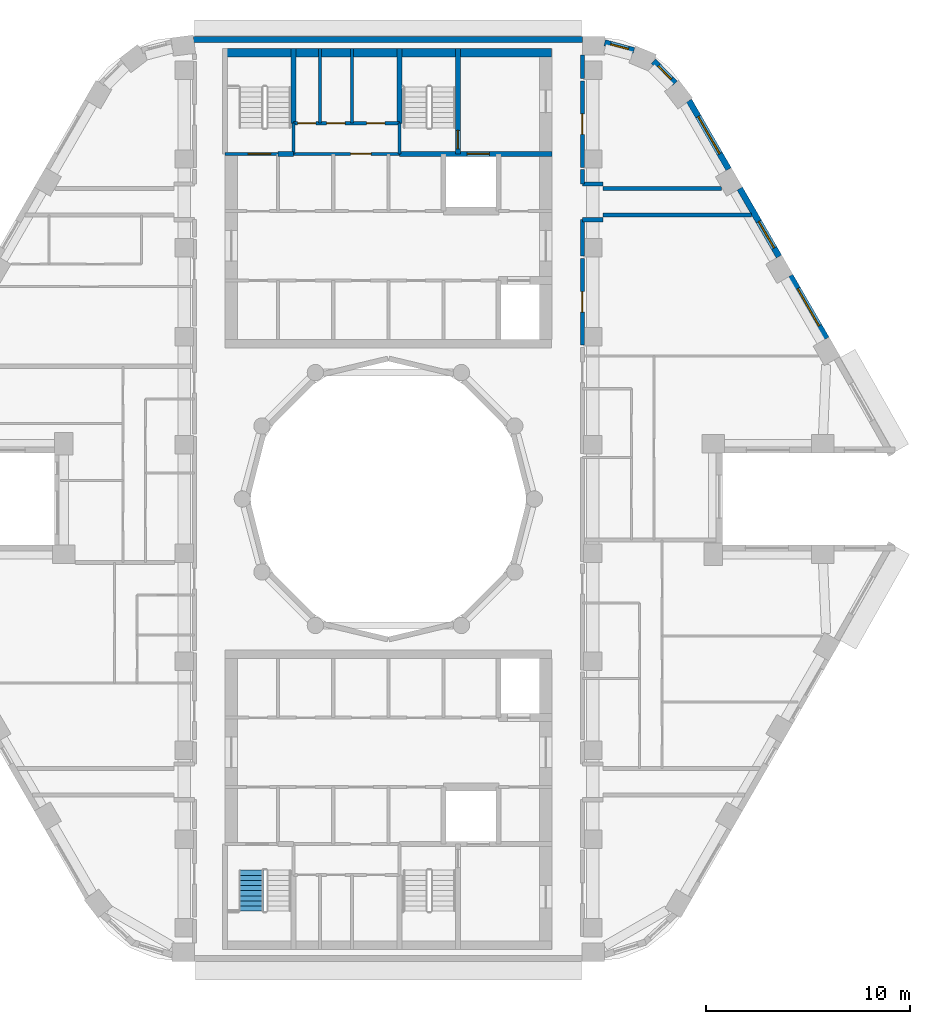
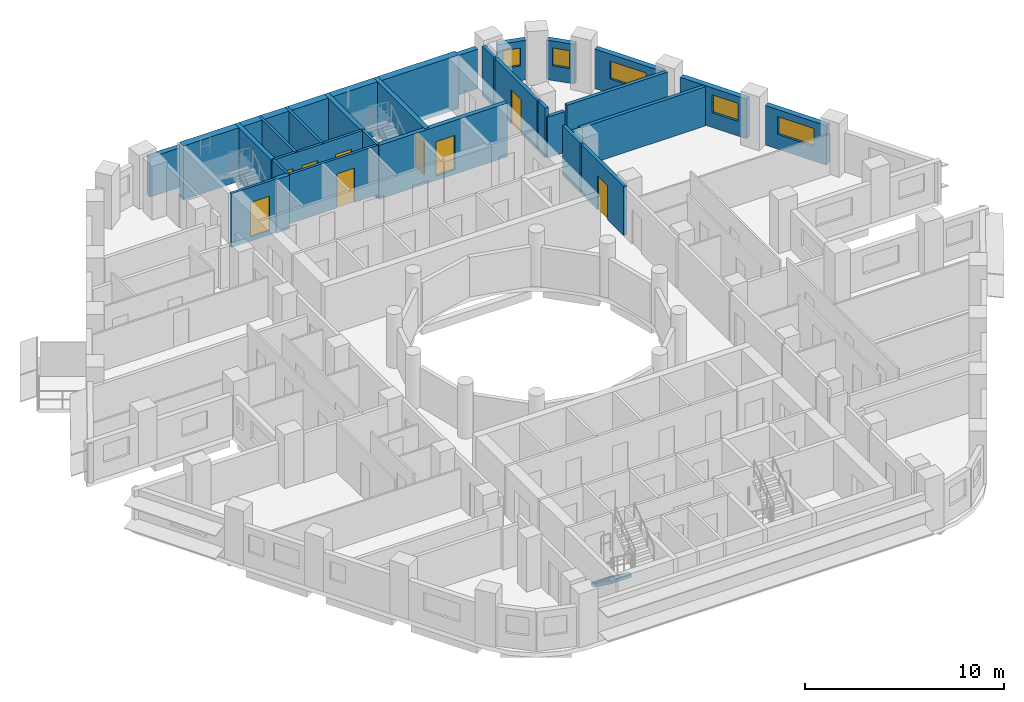
# One storey, part 8 of 13: 28 walls, 9 doors, 5 windows, 1 stair flight, 14 openings, 1 element without a shape of its own.
"""IFC4 building model written with IfcOpenShell, lengths in metres."""

from ifc_helpers import new_model, si_unit, direction, frame, frame_2d, origin, place, context, subcontext, project, spatial, polyline, rectangle, outline, extrude, material, layer, layer_set, type_object, element, fill, aggregate, save


model = new_model("IFC4")

# Units and contexts
model_context = context("Model", 3, precision=1e-05, world=origin(), true_north=direction((0.0, 1.0)))
body_context = subcontext(model_context, "Body", "Model", "MODEL_VIEW")
ifc_project = project(units=[si_unit("LENGTHUNIT", "METRE"), si_unit("AREAUNIT", "SQUARE_METRE"), si_unit("VOLUMEUNIT", "CUBIC_METRE"), si_unit("PLANEANGLEUNIT", "RADIAN"), si_unit("MASSUNIT", "GRAM", prefix="KILO")], contexts=[model_context])

# Site, building, storey
site_placement = place(None, origin())
site = spatial("IfcSite", under=ifc_project, at=site_placement, CompositionType="ELEMENT")
building_placement = place(site_placement, origin())
building = spatial("IfcBuilding", under=site, at=building_placement, Name="Nakaniwa Court", CompositionType="ELEMENT")
storey_placement = place(building_placement, frame((0.0, 0.0, 239.39990234375)))
storey = spatial("IfcBuildingStorey", under=building, at=storey_placement, Name="L62", CompositionType="ELEMENT", Elevation=239.39990234375)

# Wall, opening, door
ifc_material_1 = material(Name="Acoustic double stud partition")
ifc_layer_1 = layer(ifc_material_1, 0.199951171875)
ifc_layer_set_1 = layer_set([ifc_layer_1], Name="Acoustic double stud partition")
wall_type_1 = type_object("IfcWallType", Name="Acoustic double stud partition 200", PredefinedType="PARTITIONING", material=ifc_layer_set_1)
wall_1_placement = place(storey_placement, frame((89.5, 91.77294921875, 0.0), z_axis=(0.0, 0.0, 1.0), x_axis=(0.0, -1.0, 0.0)))
wall_1 = element("IfcWall", 1, at=wall_1_placement, inside=storey, type_object=wall_type_1, Name="Partition PW-068", PredefinedType="PARTITIONING", context=body_context, shape_type="SweptSolid", body=[
    extrude(rectangle(XDim=4.23583984375, YDim=0.199951171875, at=frame_2d((2.117919921875, 0.0))), origin(), (0.0, 0.0, 1.0), 3.025146484375),
])
opening_1_placement = place(wall_1_placement, frame((1.617919921875, 0.0, 0.0)))
opening_1 = element("IfcOpeningElement", 2, at=opening_1_placement, cuts=wall_1, Name="Opening D-02-02", PredefinedType="OPENING", context=body_context, shape_type="SweptSolid", body=[
    extrude(rectangle(XDim=1.0, YDim=2.10009765625, at=frame_2d((0.5, 1.050048828125))), frame((0.0, 0.10986328125, 0.0), z_axis=(0.0, -1.0, 0.0), x_axis=(1.0, 0.0, 0.0)), (0.0, 0.0, 1.0), 0.219970703125),
])
ifc_material_2 = material(Name="Solid core timber door set, black veneer", Category="wood")
door_type_1 = type_object("IfcDoorType", Name="Internal door 1000", OperationType="NOTDEFINED", PredefinedType="DOOR", material=ifc_material_2)
door_1_placement = place(opening_1_placement, origin())
door_1 = element("IfcDoor", 3, at=door_1_placement, inside=storey, type_object=door_type_1, Name="Door D-02-02 L62-044", OperationType="SINGLE_SWING_LEFT", OverallHeight=2.10009765625, OverallWidth=1.0, PredefinedType="DOOR", context=body_context, shape_type="SweptSolid", body=[
    extrude(rectangle(XDim=1.0, YDim=2.10009765625, at=frame_2d((0.5, 1.050048828125))), frame((0.0, 0.02490234375, 0.0), z_axis=(0.0, -1.0, 0.0), x_axis=(1.0, 0.0, 0.0)), (0.0, 0.0, 1.0), 0.050048828125),
])
fill(opening_1, door_1)

# Walls
wall_2_placement = place(storey_placement, frame((89.5, 91.886962890625, 0.0), z_axis=(0.0, 0.0, 1.0), x_axis=(0.0, 1.0, 0.0)))
element("IfcWall", 4, at=wall_2_placement, inside=storey, type_object=wall_type_1, Name="Partition PW-069", PredefinedType="PARTITIONING", context=body_context, shape_type="SweptSolid", body=[
    extrude(rectangle(XDim=1.791015625, YDim=0.199951171875, at=frame_2d((0.8955078125, 0.0))), origin(), (0.0, 0.0, 1.0), 3.025146484375),
])
wall_3_placement = place(storey_placement, frame((89.5, 95.422119140625, 0.0), z_axis=(0.0, 0.0, 1.0), x_axis=(0.0, 1.0, 0.0)))
element("IfcWall", 5, at=wall_3_placement, inside=storey, type_object=wall_type_1, Name="Partition PW-070", PredefinedType="PARTITIONING", context=body_context, shape_type="SweptSolid", body=[
    extrude(rectangle(XDim=0.700927734375, YDim=0.199951171875, at=frame_2d((0.3505859375, 0.0))), origin(), (0.0, 0.0, 1.0), 3.025146484375),
])

# Wall, opening, door
wall_4_placement = place(storey_placement, frame((89.5, 100.472900390625, 0.0), z_axis=(0.0, 0.0, 1.0), x_axis=(0.0, -1.0, 0.0)))
wall_4 = element("IfcWall", 6, at=wall_4_placement, inside=storey, type_object=wall_type_1, Name="Partition PW-071", PredefinedType="PARTITIONING", context=body_context, shape_type="SweptSolid", body=[
    extrude(rectangle(XDim=4.23583984375, YDim=0.199951171875, at=frame_2d((2.117919921875, 0.0))), origin(), (0.0, 0.0, 1.0), 3.025146484375),
])
opening_2_placement = place(wall_4_placement, frame((1.617919921875, 0.0, 0.0)))
opening_2 = element("IfcOpeningElement", 7, at=opening_2_placement, cuts=wall_4, Name="Opening D-02-03", PredefinedType="OPENING", context=body_context, shape_type="SweptSolid", body=[
    extrude(rectangle(XDim=1.0, YDim=2.10009765625, at=frame_2d((0.5, 1.050048828125))), frame((0.0, 0.10986328125, 0.0), z_axis=(0.0, -1.0, 0.0), x_axis=(1.0, 0.0, 0.0)), (0.0, 0.0, 1.0), 0.219970703125),
])
door_2_placement = place(opening_2_placement, origin())
door_2 = element("IfcDoor", 8, at=door_2_placement, inside=storey, type_object=door_type_1, Name="Door D-02-03 L62-059", OperationType="SINGLE_SWING_RIGHT", OverallHeight=2.10009765625, OverallWidth=1.0, PredefinedType="DOOR", context=body_context, shape_type="SweptSolid", body=[
    extrude(rectangle(XDim=1.0, YDim=2.10009765625, at=frame_2d((0.5, 1.050048828125))), frame((0.0, 0.02490234375, 0.0), z_axis=(0.0, -1.0, 0.0), x_axis=(1.0, 0.0, 0.0)), (0.0, 0.0, 1.0), 0.050048828125),
])
fill(opening_2, door_2)

# Walls
wall_5_placement = place(storey_placement, frame((89.5, 100.5869140625, 0.0), z_axis=(0.0, 0.0, 1.0), x_axis=(0.0, 1.0, 0.0)))
element("IfcWall", 9, at=wall_5_placement, inside=storey, type_object=wall_type_1, Name="Partition PW-072", PredefinedType="PARTITIONING", context=body_context, shape_type="SweptSolid", body=[
    extrude(rectangle(XDim=1.14599609375, YDim=0.199951171875, at=frame_2d((0.572998046875, 0.0))), origin(), (0.0, 0.0, 1.0), 3.025146484375),
])
wall_6_placement = place(storey_placement, frame((90.5, 93.89990234375, 0.0), z_axis=(0.0, 0.0, 1.0), x_axis=(1.0, 0.0, 0.0)))
element("IfcWall", 10, at=wall_6_placement, inside=storey, type_object=wall_type_1, Name="Partition PW-074", PredefinedType="PARTITIONING", context=body_context, shape_type="SweptSolid", body=[
    extrude(rectangle(XDim=7.282470703125, YDim=0.199951171875, at=frame_2d((3.64111328125, 0.0))), origin(), (0.0, 0.0, 1.0), 2.405029296875),
])
for number, where, z_axis, x_axis, name in (
    (11, (89.5, 93.675048828125, 0.0), (0.0, 0.0, 1.0), (1.0, 0.0, 0.0), "Partition PW-076"),
    (12, (89.5, 95.425048828125, 0.0), (0.0, 0.0, 1.0), (1.0, 0.0, 0.0), "Partition PW-078"),
):
    element("IfcWall", number, at=place(storey_placement, frame(where, z_axis=z_axis, x_axis=x_axis)), inside=storey, type_object=wall_type_1, Name=name, PredefinedType="PARTITIONING", context=body_context, shape_type="SweptSolid", body=[
        extrude(rectangle(XDim=1.0, YDim=0.199951171875, at=frame_2d((0.5, 0.0))), origin(), (0.0, 0.0, 1.0), 2.505126953125),
    ])
wall_7_placement = place(storey_placement, frame((90.5, 95.199951171875, 0.0), z_axis=(0.0, 0.0, 1.0), x_axis=(1.0, 0.0, 0.0)))
element("IfcWall", 13, at=wall_7_placement, inside=storey, type_object=wall_type_1, Name="Partition PW-080", PredefinedType="PARTITIONING", context=body_context, shape_type="SweptSolid", body=[
    extrude(rectangle(XDim=5.81884765625, YDim=0.199951171875, at=frame_2d((2.909423828125, 0.0))), origin(), (0.0, 0.0, 1.0), 3.025146484375),
])

# Wall, opening, window
ifc_material_3 = material(Name="Charcoal ceramic cladding")
ifc_layer_2 = layer(ifc_material_3, 0.02, Name="Ceramic cladding")
ifc_material_4 = material(Name="Ventilated air cavity")
ifc_layer_3 = layer(ifc_material_4, 0.04, ventilated=True, Name="Ventilated cavity")
ifc_material_5 = material(Name="Mineral wool insulation")
ifc_layer_4 = layer(ifc_material_5, 0.1, Name="Insulation")
ifc_material_6 = material(Name="Cement bonded sheathing board")
ifc_layer_5 = layer(ifc_material_6, 0.012, Name="Sheathing")
ifc_material_7 = material(Name="Cold-formed galvanised stud frame with mineral wool infill")
ifc_layer_6 = layer(ifc_material_7, 0.1, Name="Stud frame")
ifc_material_8 = material(Name="Fire-rated gypsum plasterboard lining")
ifc_layer_7 = layer(ifc_material_8, 0.028, Name="Lining")
ifc_layer_set_2 = layer_set([ifc_layer_2, ifc_layer_3, ifc_layer_4, ifc_layer_5, ifc_layer_6, ifc_layer_7], Name="Charcoal ceramic faced external wall system")
wall_type_2 = type_object("IfcWallType", Name="Black ceramic faced external wall 300", PredefinedType="SOLIDWALL", material=ifc_layer_set_2)
wall_8_placement = place(storey_placement, frame((101.44580078125, 87.85498046875, 0.0), z_axis=(0.0, 0.0, 1.0), x_axis=(-0.500010404316, 0.866019396766, 0.0)))
wall_8 = element("IfcWall", 14, at=wall_8_placement, inside=storey, type_object=wall_type_2, Name="L62 external wall 03", PredefinedType="SOLIDWALL", context=body_context, shape_type="SweptSolid", body=[
    extrude(rectangle(XDim=3.54736328125, YDim=0.300048828125, at=frame_2d((1.773681640625, 0.0))), origin(), (0.0, 0.0, 1.0), 2.425048828125),
])
opening_3_placement = place(wall_8_placement, frame((0.723388671875, 0.0, 0.89990234375)))
opening_3 = element("IfcOpeningElement", 15, at=opening_3_placement, cuts=wall_8, Name="Opening W7.04", PredefinedType="OPENING", context=body_context, shape_type="SweptSolid", body=[
    extrude(rectangle(XDim=2.10009765625, YDim=1.10009765625, at=frame_2d((1.050048828125, 0.550048828125))), frame((0.0, 0.159912109375, 0.0), z_axis=(0.0, -1.0, 0.0), x_axis=(1.0, 0.0, 0.0)), (0.0, 0.0, 1.0), 0.320068359375),
])
ifc_material_9 = material(Name="Black anodised aluminium frame with dark low-E laminated double glazing", Category="aluminium")
window_type_1 = type_object("IfcWindowType", Name="Dark glass window 2100x1100 sill 900", PartitioningType="SINGLE_PANEL", PredefinedType="WINDOW", material=ifc_material_9)
window_1_placement = place(opening_3_placement, origin())
window_1 = element("IfcWindow", 16, at=window_1_placement, inside=storey, type_object=window_type_1, Name="L62 habitable room window 03-0", OverallHeight=1.10009765625, OverallWidth=2.10009765625, PartitioningType="SINGLE_PANEL", PredefinedType="WINDOW", context=body_context, shape_type="SweptSolid", body=[
    extrude(rectangle(XDim=2.10009765625, YDim=1.10009765625, at=frame_2d((1.050048828125, 0.550048828125))), frame((0.0, 0.030029296875, 0.0), z_axis=(0.0, -1.0, 0.0), x_axis=(1.0, 0.0, 0.0)), (0.0, 0.0, 1.0), 0.06005859375),
])
fill(opening_3, window_1)

wall_9_placement = place(storey_placement, frame((99.126220703125, 91.87255859375, 0.0), z_axis=(0.0, 0.0, 1.0), x_axis=(-0.499984490703, 0.866034357896, 0.0)))
wall_9 = element("IfcWall", 17, at=wall_9_placement, inside=storey, type_object=wall_type_2, Name="L62 external wall 04", PredefinedType="SOLIDWALL", context=body_context, shape_type="SweptSolid", body=[
    extrude(rectangle(XDim=3.84423828125, YDim=0.300048828125, at=frame_2d((1.922119140625, 0.0))), origin(), (0.0, 0.0, 1.0), 2.425048828125),
])
opening_4_placement = place(wall_9_placement, frame((0.481689453125, 0.0, 0.89990234375)))
opening_4 = element("IfcOpeningElement", 18, at=opening_4_placement, cuts=wall_9, Name="Opening W5.05", PredefinedType="OPENING", context=body_context, shape_type="SweptSolid", body=[
    extrude(rectangle(XDim=1.5, YDim=1.10009765625, at=frame_2d((0.75, 0.550048828125))), frame((0.0, 0.159912109375, 0.0), z_axis=(0.0, -1.0, 0.0), x_axis=(1.0, 0.0, 0.0)), (0.0, 0.0, 1.0), 0.320068359375),
])
window_type_2 = type_object("IfcWindowType", Name="Dark glass window 1500x1100 sill 900", PartitioningType="SINGLE_PANEL", PredefinedType="WINDOW", material=ifc_material_9)
window_2_placement = place(opening_4_placement, origin())
window_2 = element("IfcWindow", 19, at=window_2_placement, inside=storey, type_object=window_type_2, Name="L62 habitable room window 04-0", OverallHeight=1.10009765625, OverallWidth=1.5, PartitioningType="SINGLE_PANEL", PredefinedType="WINDOW", context=body_context, shape_type="SweptSolid", body=[
    extrude(rectangle(XDim=1.5, YDim=1.10009765625, at=frame_2d((0.75, 0.550048828125))), frame((0.0, 0.030029296875, 0.0), z_axis=(0.0, -1.0, 0.0), x_axis=(1.0, 0.0, 0.0)), (0.0, 0.0, 1.0), 0.06005859375),
])
fill(opening_4, window_2)

wall_10_placement = place(storey_placement, frame((96.657958984375, 96.1474609375, 0.0), z_axis=(0.0, 0.0, 1.0), x_axis=(-0.500011218404, 0.866018926739, 0.0)))
wall_10 = element("IfcWall", 20, at=wall_10_placement, inside=storey, type_object=wall_type_2, Name="L62 external wall 05", PredefinedType="SOLIDWALL", context=body_context, shape_type="SweptSolid", body=[
    extrude(rectangle(XDim=3.87890625, YDim=0.300048828125, at=frame_2d((1.939453125, 0.0))), origin(), (0.0, 0.0, 1.0), 2.425048828125),
])
opening_5_placement = place(wall_10_placement, frame((0.878173828125, 0.0, 0.89990234375)))
opening_5 = element("IfcOpeningElement", 21, at=opening_5_placement, cuts=wall_10, Name="Opening W7.06", PredefinedType="OPENING", context=body_context, shape_type="SweptSolid", body=[
    extrude(rectangle(XDim=2.10009765625, YDim=1.10009765625, at=frame_2d((1.050048828125, 0.550048828125))), frame((0.0, 0.159912109375, 0.0), z_axis=(0.0, -1.0, 0.0), x_axis=(1.0, 0.0, 0.0)), (0.0, 0.0, 1.0), 0.320068359375),
])
window_3_placement = place(opening_5_placement, origin())
window_3 = element("IfcWindow", 22, at=window_3_placement, inside=storey, type_object=window_type_1, Name="L62 habitable room window 05-0", OverallHeight=1.10009765625, OverallWidth=2.10009765625, PartitioningType="SINGLE_PANEL", PredefinedType="WINDOW", context=body_context, shape_type="SweptSolid", body=[
    extrude(rectangle(XDim=2.10009765625, YDim=1.10009765625, at=frame_2d((1.050048828125, 0.550048828125))), frame((0.0, 0.030029296875, 0.0), z_axis=(0.0, -1.0, 0.0), x_axis=(1.0, 0.0, 0.0)), (0.0, 0.0, 1.0), 0.06005859375),
])
fill(opening_5, window_3)

wall_11_placement = place(storey_placement, frame((94.0341796875, 100.3583984375, 0.0), z_axis=(0.0, 0.0, 1.0), x_axis=(-0.698675602211, 0.71543860874, 0.0)))
wall_11 = element("IfcWall", 23, at=wall_11_placement, inside=storey, type_object=wall_type_2, Name="L62 external wall 06", PredefinedType="SOLIDWALL", context=body_context, shape_type="SweptSolid", body=[
    extrude(rectangle(XDim=1.5, YDim=0.300048828125, at=frame_2d((0.75, 0.0))), origin(), (0.0, 0.0, 1.0), 2.425048828125),
])
opening_6_placement = place(wall_11_placement, frame((0.27587890625, 0.0, 0.89990234375)))
opening_6 = element("IfcOpeningElement", 24, at=opening_6_placement, cuts=wall_11, Name="Opening W9.07", PredefinedType="OPENING", context=body_context, shape_type="SweptSolid", body=[
    extrude(rectangle(XDim=0.89990234375, YDim=1.10009765625, at=frame_2d((0.449951171875, 0.550048828125))), frame((0.0, 0.159912109375, 0.0), z_axis=(0.0, -1.0, 0.0), x_axis=(1.0, 0.0, 0.0)), (0.0, 0.0, 1.0), 0.320068359375),
])
window_type_3 = type_object("IfcWindowType", Name="Dark glass window 900x1100 sill 900", PartitioningType="SINGLE_PANEL", PredefinedType="WINDOW", material=ifc_material_9)
window_4_placement = place(opening_6_placement, origin())
window_4 = element("IfcWindow", 25, at=window_4_placement, inside=storey, type_object=window_type_3, Name="L62 habitable room window 06-0", OverallHeight=1.10009765625, OverallWidth=0.89990234375, PartitioningType="SINGLE_PANEL", PredefinedType="WINDOW", context=body_context, shape_type="SweptSolid", body=[
    extrude(rectangle(XDim=0.89990234375, YDim=1.10009765625, at=frame_2d((0.449951171875, 0.550048828125))), frame((0.0, 0.030029296875, 0.0), z_axis=(0.0, -1.0, 0.0), x_axis=(1.0, 0.0, 0.0)), (0.0, 0.0, 1.0), 0.06005859375),
])
fill(opening_6, window_4)

wall_12_placement = place(storey_placement, frame((92.02099609375, 101.956298828125, 0.0), z_axis=(0.0, 0.0, 1.0), x_axis=(-0.965392564919, 0.260801065181, 0.0)))
wall_12 = element("IfcWall", 26, at=wall_12_placement, inside=storey, type_object=wall_type_2, Name="L62 external wall 07", PredefinedType="SOLIDWALL", context=body_context, shape_type="SweptSolid", body=[
    extrude(rectangle(XDim=1.48095703125, YDim=0.300048828125, at=frame_2d((0.740478515625, 0.0))), origin(), (0.0, 0.0, 1.0), 2.425048828125),
])
opening_7_placement = place(wall_12_placement, frame((0.280029296875, 0.0, 0.89990234375)))
opening_7 = element("IfcOpeningElement", 27, at=opening_7_placement, cuts=wall_12, Name="Opening W9.08", PredefinedType="OPENING", context=body_context, shape_type="SweptSolid", body=[
    extrude(rectangle(XDim=0.89990234375, YDim=1.10009765625, at=frame_2d((0.449951171875, 0.550048828125))), frame((0.0, 0.159912109375, 0.0), z_axis=(0.0, -1.0, 0.0), x_axis=(1.0, 0.0, 0.0)), (0.0, 0.0, 1.0), 0.320068359375),
])
window_5_placement = place(opening_7_placement, origin())
window_5 = element("IfcWindow", 28, at=window_5_placement, inside=storey, type_object=window_type_3, Name="L62 habitable room window 07-0", OverallHeight=1.10009765625, OverallWidth=0.89990234375, PartitioningType="SINGLE_PANEL", PredefinedType="WINDOW", context=body_context, shape_type="SweptSolid", body=[
    extrude(rectangle(XDim=0.89990234375, YDim=1.10009765625, at=frame_2d((0.449951171875, 0.550048828125))), frame((0.0, 0.030029296875, 0.0), z_axis=(0.0, -1.0, 0.0), x_axis=(1.0, 0.0, 0.0)), (0.0, 0.0, 1.0), 0.06005859375),
])
fill(opening_7, window_5)

# Wall
wall_13_placement = place(storey_placement, frame((89.499267578125, 102.5, 0.0), z_axis=(0.0, 0.0, 1.0), x_axis=(-1.0, 0.0, 0.0)))
element("IfcWall", 29, at=wall_13_placement, inside=storey, type_object=wall_type_2, Name="L62 external wall 08", PredefinedType="SOLIDWALL", context=body_context, shape_type="SweptSolid", body=[
    extrude(rectangle(XDim=19.033447265625, YDim=0.300048828125, at=frame_2d((9.5166015625, 0.0))), origin(), (0.0, 0.0, 1.0), 2.425048828125),
])

# Wall, opening, door
ifc_material_10 = material(Name="Blockwork partition", Category="masonry")
ifc_layer_8 = layer(ifc_material_10, 0.14990234375)
ifc_layer_set_3 = layer_set([ifc_layer_8], Name="Blockwork partition")
wall_type_3 = type_object("IfcWallType", Name="Blockwork partition 150", PredefinedType="PARTITIONING", material=ifc_layer_set_3)
wall_14_placement = place(storey_placement, frame((75.346923828125, 96.89990234375, 0.0), z_axis=(0.0, 0.0, 1.0), x_axis=(1.0, 0.0, 0.0)))
wall_14 = element("IfcWall", 30, at=wall_14_placement, inside=storey, type_object=wall_type_3, Name="Partition PW-020", PredefinedType="PARTITIONING", context=body_context, shape_type="SweptSolid", body=[
    extrude(rectangle(XDim=5.2060546875, YDim=0.14990234375, at=frame_2d((2.60302734375, 0.0))), origin(), (0.0, 0.0, 1.0), 3.025146484375),
])
opening_8_placement = place(wall_14_placement, frame((2.802978515625, 0.0, 0.0)))
opening_8 = element("IfcOpeningElement", 31, at=opening_8_placement, cuts=wall_14, Name="Opening D-23-01", PredefinedType="OPENING", context=body_context, shape_type="SweptSolid", body=[
    extrude(rectangle(XDim=1.0, YDim=2.10009765625, at=frame_2d((0.5, 1.050048828125))), frame((0.0, 0.0849609375, 0.0), z_axis=(0.0, -1.0, 0.0), x_axis=(1.0, 0.0, 0.0)), (0.0, 0.0, 1.0), 0.169921875),
])
ifc_material_11 = material(Name="Fire rated steel door set", Category="steel")
door_type_2 = type_object("IfcDoorType", Name="Service room door 1000", OperationType="NOTDEFINED", PredefinedType="DOOR", material=ifc_material_11)
door_3_placement = place(opening_8_placement, origin())
door_3 = element("IfcDoor", 32, at=door_3_placement, inside=storey, type_object=door_type_2, Name="Door D-23-01 L62-011", OperationType="SINGLE_SWING_RIGHT", OverallHeight=2.10009765625, OverallWidth=1.0, PredefinedType="DOOR", context=body_context, shape_type="SweptSolid", body=[
    extrude(rectangle(XDim=1.0, YDim=2.10009765625, at=frame_2d((0.5, 1.050048828125))), frame((0.0, 0.02490234375, 0.0), z_axis=(0.0, -1.0, 0.0), x_axis=(1.0, 0.0, 0.0)), (0.0, 0.0, 1.0), 0.050048828125),
])
fill(opening_8, door_3)

# Wall, openings, doors
wall_15_placement = place(storey_placement, frame((75.35009765625, 98.39990234375, 0.0), z_axis=(0.0, 0.0, 1.0), x_axis=(1.0, 0.0, 0.0)))
wall_15 = element("IfcWall", 33, at=wall_15_placement, inside=storey, type_object=wall_type_3, Name="Partition PW-028", PredefinedType="PARTITIONING", context=body_context, shape_type="SweptSolid", body=[
    extrude(rectangle(XDim=5.199951171875, YDim=0.14990234375, at=frame_2d((2.60009765625, 0.0))), origin(), (0.0, 0.0, 1.0), 3.025146484375),
])
opening_9_placement = place(wall_15_placement, frame((0.199951171875, 0.0, 0.0)))
opening_9 = element("IfcOpeningElement", 34, at=opening_9_placement, cuts=wall_15, Name="Opening D-05-09", PredefinedType="OPENING", context=body_context, shape_type="SweptSolid", body=[
    extrude(rectangle(XDim=0.89990234375, YDim=2.10009765625, at=frame_2d((0.449951171875, 1.050048828125))), frame((0.0, 0.0849609375, 0.0), z_axis=(0.0, -1.0, 0.0), x_axis=(1.0, 0.0, 0.0)), (0.0, 0.0, 1.0), 0.169921875),
])
opening_10_placement = place(wall_15_placement, frame((1.6298828125, 0.0, 0.0)))
opening_10 = element("IfcOpeningElement", 35, at=opening_10_placement, cuts=wall_15, Name="Opening D-05-10", PredefinedType="OPENING", context=body_context, shape_type="SweptSolid", body=[
    extrude(rectangle(XDim=0.89990234375, YDim=2.10009765625, at=frame_2d((0.449951171875, 1.050048828125))), frame((0.0, 0.0849609375, 0.0), z_axis=(0.0, -1.0, 0.0), x_axis=(1.0, 0.0, 0.0)), (0.0, 0.0, 1.0), 0.169921875),
])
opening_11_placement = place(wall_15_placement, frame((3.580078125, 0.0, 0.0)))
opening_11 = element("IfcOpeningElement", 36, at=opening_11_placement, cuts=wall_15, Name="Opening D-05-11", PredefinedType="OPENING", context=body_context, shape_type="SweptSolid", body=[
    extrude(rectangle(XDim=0.89990234375, YDim=2.10009765625, at=frame_2d((0.449951171875, 1.050048828125))), frame((0.0, 0.0849609375, 0.0), z_axis=(0.0, -1.0, 0.0), x_axis=(1.0, 0.0, 0.0)), (0.0, 0.0, 1.0), 0.169921875),
])
door_type_3 = type_object("IfcDoorType", Name="Service room door 900", OperationType="NOTDEFINED", PredefinedType="DOOR", material=ifc_material_11)
door_4_placement = place(opening_9_placement, origin())
door_4 = element("IfcDoor", 37, at=door_4_placement, inside=storey, type_object=door_type_3, Name="Door D-05-09 L62-012", OperationType="SINGLE_SWING_LEFT", OverallHeight=2.10009765625, OverallWidth=0.89990234375, PredefinedType="DOOR", context=body_context, shape_type="SweptSolid", body=[
    extrude(rectangle(XDim=0.89990234375, YDim=2.10009765625, at=frame_2d((0.449951171875, 1.050048828125))), frame((0.0, 0.02490234375, 0.0), z_axis=(0.0, -1.0, 0.0), x_axis=(1.0, 0.0, 0.0)), (0.0, 0.0, 1.0), 0.050048828125),
])
fill(opening_9, door_4)
door_5_placement = place(opening_10_placement, origin())
door_5 = element("IfcDoor", 38, at=door_5_placement, inside=storey, type_object=door_type_3, Name="Door D-05-10 L62-013", OperationType="SINGLE_SWING_RIGHT", OverallHeight=2.10009765625, OverallWidth=0.89990234375, PredefinedType="DOOR", context=body_context, shape_type="SweptSolid", body=[
    extrude(rectangle(XDim=0.89990234375, YDim=2.10009765625, at=frame_2d((0.449951171875, 1.050048828125))), frame((0.0, 0.02490234375, 0.0), z_axis=(0.0, -1.0, 0.0), x_axis=(1.0, 0.0, 0.0)), (0.0, 0.0, 1.0), 0.050048828125),
])
fill(opening_10, door_5)
door_6_placement = place(opening_11_placement, origin())
door_6 = element("IfcDoor", 39, at=door_6_placement, inside=storey, type_object=door_type_3, Name="Door D-05-11 L62-014", OperationType="SINGLE_SWING_LEFT", OverallHeight=2.10009765625, OverallWidth=0.89990234375, PredefinedType="DOOR", context=body_context, shape_type="SweptSolid", body=[
    extrude(rectangle(XDim=0.89990234375, YDim=2.10009765625, at=frame_2d((0.449951171875, 1.050048828125))), frame((0.0, 0.02490234375, 0.0), z_axis=(0.0, -1.0, 0.0), x_axis=(1.0, 0.0, 0.0)), (0.0, 0.0, 1.0), 0.050048828125),
])
fill(opening_11, door_6)

# Walls
for number, where, z_axis, x_axis, name in (
    (40, (76.64990234375, 98.39990234375, 0.0), (0.0, 0.0, 1.0), (0.0, 1.0, 0.0), "Partition PW-029"),
    (41, (78.2099609375, 98.39990234375, 0.0), (0.0, 0.0, 1.0), (0.0, 1.0, 0.0), "Partition PW-030"),
):
    element("IfcWall", number, at=place(storey_placement, frame(where, z_axis=z_axis, x_axis=x_axis)), inside=storey, type_object=wall_type_3, Name=name, PredefinedType="PARTITIONING", context=body_context, shape_type="SweptSolid", body=[
        extrude(rectangle(XDim=3.650146484375, YDim=0.14990234375, at=frame_2d((1.8251953125, 0.0))), origin(), (0.0, 0.0, 1.0), 3.025146484375),
    ])

# Wall, opening, door
ifc_material_12 = material(Name="Concrete C80/100", Category="concrete")
ifc_layer_9 = layer(ifc_material_12, 0.14990234375)
ifc_layer_set_4 = layer_set([ifc_layer_9], Name="Concrete C80/100")
wall_type_4 = type_object("IfcWallType", Name="Concrete core wall 150 C80", PredefinedType="SHEAR", material=ifc_layer_set_4)
wall_16_placement = place(storey_placement, frame((74.60009765625, 96.89990234375, -0.27490234375), z_axis=(0.0, 0.0, 1.0), x_axis=(-1.0, 0.0, 0.0)))
wall_16 = element("IfcWall", 42, at=wall_16_placement, inside=storey, type_object=wall_type_4, Name="Core wall SW-17", PredefinedType="SHEAR", context=body_context, shape_type="SweptSolid", body=[
    extrude(rectangle(XDim=2.60009765625, YDim=0.14990234375, at=frame_2d((1.300048828125, 0.0))), origin(), (0.0, 0.0, 1.0), 3.300048828125),
])
opening_12_placement = place(wall_16_placement, frame((0.3701171875, 0.0, 0.27490234375)))
opening_12 = element("IfcOpeningElement", 43, at=opening_12_placement, cuts=wall_16, Name="Opening D-09-01", PredefinedType="OPENING", context=body_context, shape_type="SweptSolid", body=[
    extrude(rectangle(XDim=1.10009765625, YDim=2.10009765625, at=frame_2d((0.550048828125, 1.050048828125))), frame((0.0, 0.0849609375, 0.0), z_axis=(0.0, -1.0, 0.0), x_axis=(1.0, 0.0, 0.0)), (0.0, 0.0, 1.0), 0.169921875),
])
door_type_4 = type_object("IfcDoorType", Name="Stair door 1100", OperationType="NOTDEFINED", PredefinedType="DOOR", material=ifc_material_11)
door_7_placement = place(opening_12_placement, origin())
door_7 = element("IfcDoor", 44, at=door_7_placement, inside=storey, type_object=door_type_4, Name="Door D-09-01 L62-015", OperationType="SINGLE_SWING_LEFT", OverallHeight=2.10009765625, OverallWidth=1.10009765625, PredefinedType="DOOR", context=body_context, shape_type="SweptSolid", body=[
    extrude(rectangle(XDim=1.10009765625, YDim=2.10009765625, at=frame_2d((0.550048828125, 1.050048828125))), frame((0.0, 0.02490234375, 0.0), z_axis=(0.0, -1.0, 0.0), x_axis=(1.0, 0.0, 0.0)), (0.0, 0.0, 1.0), 0.050048828125),
])
fill(opening_12, door_7)

# Walls
for number, where, z_axis, x_axis, name in (
    (45, (75.35009765625, 96.89990234375, -0.27490234375), (0.0, 0.0, 1.0), (0.0, 1.0, 0.0), "Core wall SW-22"),
    (46, (80.550048828125, 96.89990234375, -0.27490234375), (0.0, 0.0, 1.0), (0.0, 1.0, 0.0), "Core wall SW-26"),
):
    element("IfcWall", number, at=place(storey_placement, frame(where, z_axis=z_axis, x_axis=x_axis)), inside=storey, type_object=wall_type_4, Name=name, PredefinedType="SHEAR", context=body_context, shape_type="SweptSolid", body=[
        extrude(rectangle(XDim=1.503173828125, YDim=0.14990234375, at=frame_2d((0.75146484375, 0.0))), origin(), (0.0, 0.0, 1.0), 3.300048828125),
    ])
ifc_layer_10 = layer(ifc_material_12, 0.39990234375)
ifc_layer_set_5 = layer_set([ifc_layer_10], Name="Concrete C80/100")
wall_type_5 = type_object("IfcWallType", Name="Concrete core wall 400 C80", PredefinedType="SHEAR", material=ifc_layer_set_5)
wall_17_placement = place(storey_placement, frame((72.00390625, 101.85009765625, -0.27490234375), z_axis=(0.0, 0.0, 1.0), x_axis=(1.0, 0.0, 0.0)))
element("IfcWall", 47, at=wall_17_placement, inside=storey, type_object=wall_type_5, Name="Core wall SW-131", PredefinedType="SHEAR", context=body_context, shape_type="SweptSolid", body=[
    extrude(rectangle(XDim=15.9921875, YDim=0.39990234375, at=frame_2d((7.99609375, 0.0))), origin(), (0.0, 0.0, 1.0), 3.300048828125),
])
ifc_layer_11 = layer(ifc_material_12, 0.25)
ifc_layer_set_6 = layer_set([ifc_layer_11], Name="Concrete C80/100")
wall_type_6 = type_object("IfcWallType", Name="Concrete shaft wall 250 C80", PredefinedType="SHEAR", material=ifc_layer_set_6)
wall_18_placement = place(storey_placement, frame((74.60009765625, 96.89990234375, -0.27490234375), z_axis=(0.0, 0.0, 1.0), x_axis=(1.0, 0.0, 0.0)))
element("IfcWall", 48, at=wall_18_placement, inside=storey, type_object=wall_type_6, Name="Core wall SW-18", PredefinedType="SHEAR", context=body_context, shape_type="SweptSolid", body=[
    extrude(rectangle(XDim=0.7529296875, YDim=0.25, at=frame_2d((0.37646484375, 0.0))), origin(), (0.0, 0.0, 1.0), 3.300048828125),
])

# Wall, opening, door
wall_19_placement = place(storey_placement, frame((80.547119140625, 96.89990234375, -0.27490234375), z_axis=(0.0, 0.0, 1.0), x_axis=(1.0, 0.0, 0.0)))
wall_19 = element("IfcWall", 49, at=wall_19_placement, inside=storey, type_object=wall_type_6, Name="Core wall SW-19", PredefinedType="SHEAR", context=body_context, shape_type="SweptSolid", body=[
    extrude(rectangle(XDim=7.452880859375, YDim=0.25, at=frame_2d((3.7265625, 0.0))), origin(), (0.0, 0.0, 1.0), 3.300048828125),
])
opening_13_placement = place(wall_19_placement, frame((3.302001953125, 0.0, 0.27490234375)))
opening_13 = element("IfcOpeningElement", 50, at=opening_13_placement, cuts=wall_19, Name="Opening LD02", PredefinedType="OPENING", context=body_context, shape_type="SweptSolid", body=[
    extrude(rectangle(XDim=1.10009765625, YDim=2.10009765625, at=frame_2d((0.550048828125, 1.050048828125))), frame((0.0, 0.135009765625, 0.0), z_axis=(0.0, -1.0, 0.0), x_axis=(1.0, 0.0, 0.0)), (0.0, 0.0, 1.0), 0.27001953125),
])
ifc_material_13 = material(Name="Stainless steel sliding lift landing door", Category="steel")
door_type_5 = type_object("IfcDoorType", Name="Lift landing door 1100", OperationType="NOTDEFINED", PredefinedType="DOOR", material=ifc_material_13)
door_8_placement = place(opening_13_placement, origin())
door_8 = element("IfcDoor", 51, at=door_8_placement, inside=storey, type_object=door_type_5, Name="Lift landing door LD02 L62-002", OperationType="SLIDING_TO_LEFT", OverallHeight=2.10009765625, OverallWidth=1.10009765625, PredefinedType="DOOR", context=body_context, shape_type="SweptSolid", body=[
    extrude(rectangle(XDim=1.10009765625, YDim=2.10009765625, at=frame_2d((0.550048828125, 1.050048828125))), frame((0.0, 0.02490234375, 0.0), z_axis=(0.0, -1.0, 0.0), x_axis=(1.0, 0.0, 0.0)), (0.0, 0.0, 1.0), 0.050048828125),
])
fill(opening_13, door_8)

# Wall
wall_20_placement = place(storey_placement, frame((75.35009765625, 98.39697265625, -0.27490234375), z_axis=(0.0, 0.0, 1.0), x_axis=(0.0, 1.0, 0.0)))
element("IfcWall", 52, at=wall_20_placement, inside=storey, type_object=wall_type_6, Name="Core wall SW-23", PredefinedType="SHEAR", context=body_context, shape_type="SweptSolid", body=[
    extrude(rectangle(XDim=3.653076171875, YDim=0.25, at=frame_2d((1.82666015625, 0.0))), origin(), (0.0, 0.0, 1.0), 3.300048828125),
])

# Wall, opening, door
wall_21_placement = place(storey_placement, frame((83.39990234375, 102.050048828125, -0.27490234375), z_axis=(0.0, 0.0, 1.0), x_axis=(0.0, -1.0, 0.0)))
wall_21 = element("IfcWall", 53, at=wall_21_placement, inside=storey, type_object=wall_type_6, Name="Core wall SW-25", PredefinedType="SHEAR", context=body_context, shape_type="SweptSolid", body=[
    extrude(rectangle(XDim=5.150146484375, YDim=0.25, at=frame_2d((2.5751953125, 0.0))), origin(), (0.0, 0.0, 1.0), 3.300048828125),
])
opening_14_placement = place(wall_21_placement, frame((4.0, 0.0, 0.27490234375)))
opening_14 = element("IfcOpeningElement", 54, at=opening_14_placement, cuts=wall_21, Name="Opening D-11-01", PredefinedType="OPENING", context=body_context, shape_type="SweptSolid", body=[
    extrude(rectangle(XDim=0.89990234375, YDim=2.10009765625, at=frame_2d((0.449951171875, 1.050048828125))), frame((0.0, 0.135009765625, 0.0), z_axis=(0.0, -1.0, 0.0), x_axis=(1.0, 0.0, 0.0)), (0.0, 0.0, 1.0), 0.27001953125),
])
door_type_6 = type_object("IfcDoorType", Name="Stair door 900", OperationType="NOTDEFINED", PredefinedType="DOOR", material=ifc_material_11)
door_9_placement = place(opening_14_placement, origin())
door_9 = element("IfcDoor", 55, at=door_9_placement, inside=storey, type_object=door_type_6, Name="Door D-11-01 L62-016", OperationType="SINGLE_SWING_RIGHT", OverallHeight=2.10009765625, OverallWidth=0.89990234375, PredefinedType="DOOR", context=body_context, shape_type="SweptSolid", body=[
    extrude(rectangle(XDim=0.89990234375, YDim=2.10009765625, at=frame_2d((0.449951171875, 1.050048828125))), frame((0.0, 0.02490234375, 0.0), z_axis=(0.0, -1.0, 0.0), x_axis=(1.0, 0.0, 0.0)), (0.0, 0.0, 1.0), 0.050048828125),
])
fill(opening_14, door_9)

# Wall
wall_22_placement = place(storey_placement, frame((80.550048828125, 98.39697265625, -0.27490234375), z_axis=(0.0, 0.0, 1.0), x_axis=(0.0, 1.0, 0.0)))
element("IfcWall", 56, at=wall_22_placement, inside=storey, type_object=wall_type_6, Name="Core wall SW-27", PredefinedType="SHEAR", context=body_context, shape_type="SweptSolid", body=[
    extrude(rectangle(XDim=3.653076171875, YDim=0.25, at=frame_2d((1.82666015625, 0.0))), origin(), (0.0, 0.0, 1.0), 3.300048828125),
])

# Stair, stair flight
stair_type = type_object("IfcStairType", Name="Dog leg stair 1200 wide 18 risers", PredefinedType="HALF_TURN_STAIR", material=ifc_material_12)
stair_placement = place(storey_placement, origin())
stair = element("IfcStair", 57, at=stair_placement, inside=storey, type_object=stair_type, Name="L62 Stair ST3", PredefinedType="HALF_TURN_STAIR")
stair_flight_type = type_object("IfcStairFlightType", Name="Stair flight 1200 wide 9 risers", PredefinedType="STRAIGHT", material=ifc_material_12)
stair_flight_placement = place(storey_placement, frame((73.27490234375, 61.824951171875, 0.0), z_axis=(0.0, 0.0, 1.0), x_axis=(0.0, -1.0, 0.0)))
stair_flight = element("IfcStairFlight", 58, at=stair_flight_placement, type_object=stair_flight_type, Name="ST3 flight 1", NumberOfRisers=9, NumberOfTreads=8, PredefinedType="STRAIGHT", RiserHeight=0.183333333, TreadLength=0.25, context=body_context, shape_type="SweptSolid", body=[
    extrude(outline(polyline([(0.0, 0.0), (0.0, 0.026123046875), (0.0, 0.052490234375), (0.0, 0.07861328125), (0.0, 0.104736328125), (0.0, 0.130859375), (0.0, 0.1572265625), (0.0, 0.183349609375), (0.25, 0.183349609375), (0.25, 0.36669921875), (0.5, 0.36669921875), (0.5, 0.550048828125), (0.75, 0.550048828125), (0.75, 0.7333984375), (1.0, 0.7333984375), (1.0, 0.916748046875), (1.25, 0.916748046875), (1.25, 1.10009765625), (1.5, 1.10009765625), (1.5, 1.283447265625), (1.75, 1.283447265625), (1.75, 1.466552734375), (2.0, 1.466552734375), (2.0, 1.64990234375), (2.0, 1.59716796875), (2.0, 1.54443359375), (2.0, 1.49169921875), (2.0, 1.43896484375), (2.0, 1.38623046875), (2.0, 1.33349609375), (2.0, 1.28076171875), (0.25341796875, 0.0), (0.0, 0.0)])), frame((0.0, 0.60009765625, 0.0), z_axis=(0.0, -1.0, 0.0), x_axis=(1.0, 0.0, 0.0)), (0.0, 0.0, 1.0), 1.199951171875),
])
aggregate(stair, [stair_flight])

save(model, "model.ifc")
